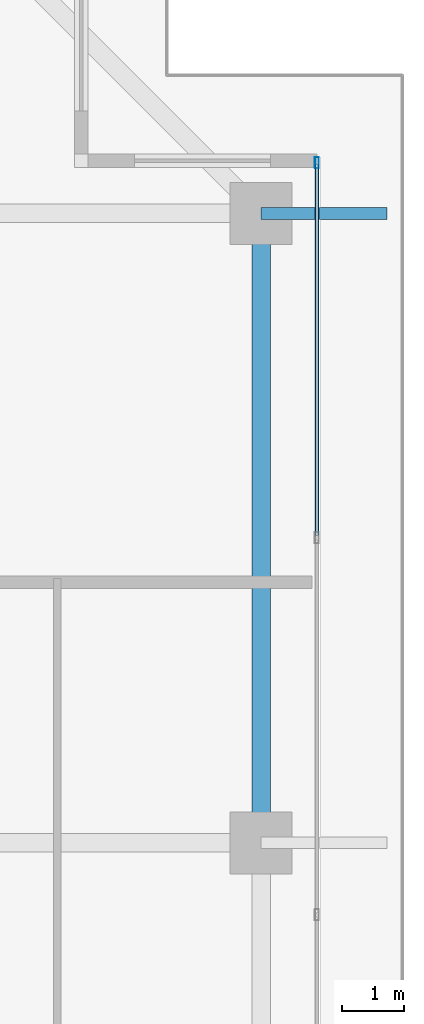
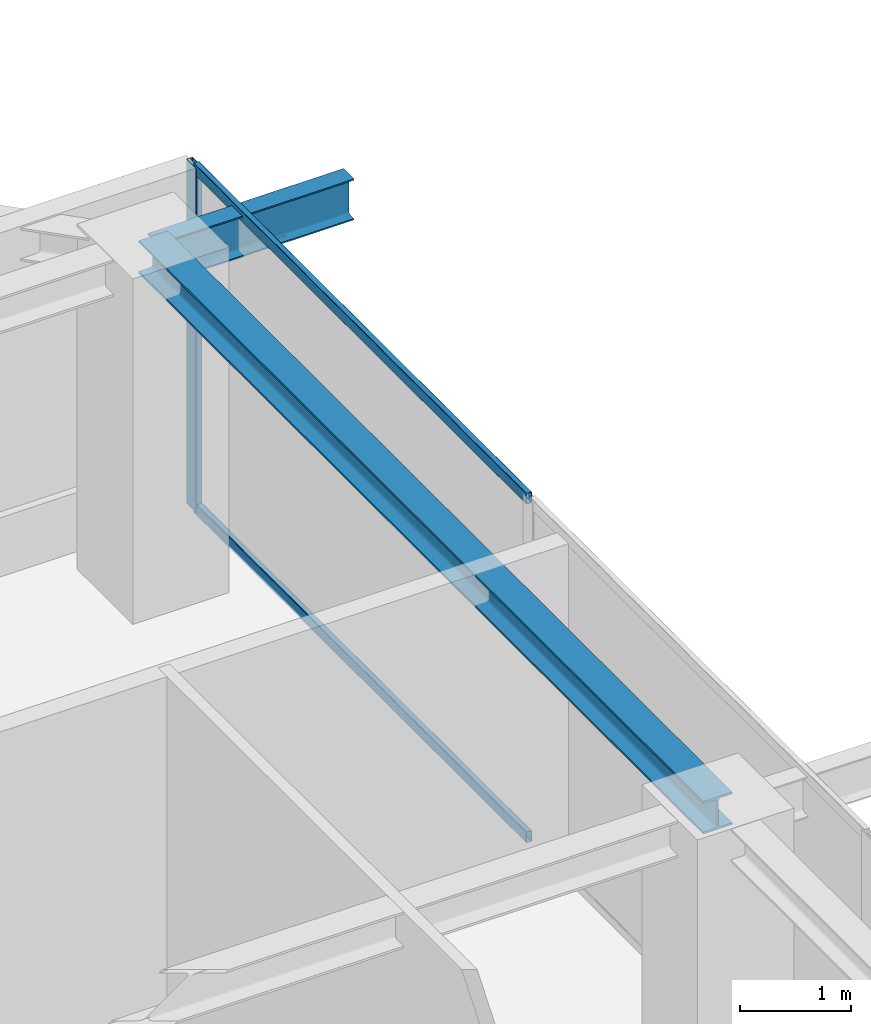
# One storey, part 24 of 37: 3 members, 2 beams, 1 element without a shape of its own.
"""IFC4 building model written with IfcOpenShell, lengths in metres."""

from ifc_helpers import new_model, si_unit, direction, frame, origin, origin_2d, place, context, subcontext, project, spatial, hollow_rectangle, i_section, extrude, source, transform, mapped, material, layer, layer_set, material_profile, profile_set, type_object, element, aggregate, save


model = new_model("IFC4")

# Units and contexts
model_context = context("Model", 3, precision=1e-05, world=origin(), true_north=direction((0.0, 1.0)))
body_context = subcontext(model_context, "Body", "Model", "MODEL_VIEW")
ifc_project = project(units=[si_unit("LENGTHUNIT", "METRE"), si_unit("AREAUNIT", "SQUARE_METRE"), si_unit("VOLUMEUNIT", "CUBIC_METRE"), si_unit("PLANEANGLEUNIT", "RADIAN"), si_unit("MASSUNIT", "GRAM", prefix="KILO")], contexts=[model_context])

# Site, building, storey
site_placement = place(None, origin())
site = spatial("IfcSite", under=ifc_project, at=site_placement, CompositionType="ELEMENT")
building_placement = place(site_placement, origin())
building = spatial("IfcBuilding", under=site, at=building_placement, Name="Serunith Strait Residences", CompositionType="ELEMENT")
storey_placement = place(building_placement, frame((0.0, 0.0, 317.75)))
storey = spatial("IfcBuildingStorey", under=building, at=storey_placement, Name="L79", CompositionType="ELEMENT", Elevation=317.75)

# Beams
ifc_material_1 = material(Name="Steel S355J2", Category="steel")
ifc_material_profile_1 = material_profile(ifc_material_1, i_section(OverallWidth=0.300048828125, OverallDepth=0.360107421875, WebThickness=0.012451171875, FlangeThickness=0.0224609375, FilletRadius=0.027099609375, at=origin_2d()), Name="HEB 360")
ifc_profile_set_1 = profile_set([ifc_material_profile_1], Name="Steel S355J2")
beam_type_1 = type_object("IfcBeamType", Name="BM-HEB360", PredefinedType="BEAM", material=ifc_profile_set_1)
shared_shape_1 = source(origin(), body_context, "Body", "SweptSolid", [
    extrude(i_section(OverallWidth=0.300048828125, OverallDepth=0.360107421875, WebThickness=0.012451171875, FlangeThickness=0.0224609375, FilletRadius=0.027099609375, at=origin_2d()), origin(), (0.0, 0.0, 1.0), 10.150146484375),
])
beam_1_placement = place(storey_placement, frame((54.699951171875, 29.39990234375, 3.60693359375), z_axis=(0.0, 1.0, 0.0), x_axis=(-1.0, 0.0, 0.0)))
element("IfcBeam", 1, at=beam_1_placement, inside=storey, type_object=beam_type_1, Name="L79 Perimeter Ring Beam 07", PredefinedType="BEAM", context=body_context, shape_type="MappedRepresentation", body=[
    mapped(shared_shape_1, transform((0.0, 0.0, 0.0), scale=1.0)),
])
ifc_material_profile_2 = material_profile(ifc_material_1, i_section(OverallWidth=0.18994140625, OverallDepth=0.449951171875, WebThickness=0.009521484375, FlangeThickness=0.0146484375, FilletRadius=0.02099609375, at=origin_2d()), Name="IPE 450")
ifc_profile_set_2 = profile_set([ifc_material_profile_2], Name="Steel S355J2")
beam_type_2 = type_object("IfcBeamType", Name="BM-IPE450", PredefinedType="JOIST", material=ifc_profile_set_2)
shared_shape_2 = source(origin(), body_context, "Body", "SweptSolid", [
    extrude(i_section(OverallWidth=0.18994140625, OverallDepth=0.449951171875, WebThickness=0.009521484375, FlangeThickness=0.0146484375, FilletRadius=0.02099609375, at=origin_2d()), origin(), (0.0, 0.0, 1.0), 2.030029296875),
])
beam_2_placement = place(storey_placement, frame((54.699951171875, 39.550048828125, 3.531982421875), z_axis=(1.0, 0.0, 0.0), x_axis=(0.0, 1.0, 0.0)))
element("IfcBeam", 2, at=beam_2_placement, inside=storey, type_object=beam_type_2, Name="L80 Cantilevered Balcony Rib TC-E4", PredefinedType="JOIST", context=body_context, shape_type="MappedRepresentation", body=[
    mapped(shared_shape_2, transform((0.0, 0.0, 0.0), scale=1.0)),
])

# Curtain wall, members
ifc_material_2 = material(Name="Brushed Stainless-Silver Aluminium", Category="aluminium")
ifc_layer = layer(ifc_material_2, 0.199951171875, Name="Brushed Stainless-Silver Aluminium")
ifc_layer_set = layer_set([ifc_layer], Name="Brushed Stainless-Silver Aluminium")
curtain_wall_type = type_object("IfcCurtainWallType", Name="CW-SYS5", PredefinedType="NOTDEFINED", material=ifc_layer_set)
curtain_wall_placement = place(storey_placement, origin())
curtain_wall = element("IfcCurtainWall", 3, at=curtain_wall_placement, inside=storey, type_object=curtain_wall_type, Name="L79 E Unitised Fritted Curtain Wall", PredefinedType="NOTDEFINED")
ifc_material_profile_3 = material_profile(ifc_material_2, hollow_rectangle(XDim=0.06005859375, YDim=0.1201171875, WallThickness=0.00341796875, InnerFilletRadius=0.00537109375, OuterFilletRadius=0.0087890625, at=origin_2d()), Name="ALU 120x60x3.5")
ifc_profile_set_3 = profile_set([ifc_material_profile_3], Name="Brushed Stainless-Silver Aluminium")
member_type_1 = type_object("IfcMemberType", Name="CW-SYS5-TRAN", PredefinedType="USERDEFINED", material=ifc_profile_set_3)
shared_shape_3 = source(origin(), body_context, "Body", "SweptSolid", [
    extrude(hollow_rectangle(XDim=0.06005859375, YDim=0.1201171875, WallThickness=0.00341796875, InnerFilletRadius=0.00537109375, OuterFilletRadius=0.0087890625, at=origin_2d()), origin(), (0.0, 0.0, 1.0), 5.982421875),
])
member_1_placement = place(storey_placement, frame((55.60009765625, 34.3525390625, 0.030029296875), z_axis=(0.0, 1.0, 0.0), x_axis=(-1.0, 0.0, 0.0)))
member_1 = element("IfcMember", 4, at=member_1_placement, type_object=member_type_1, Name="CW-5 transom 5.1", ObjectType="TRANSOM", PredefinedType="USERDEFINED", context=body_context, shape_type="MappedRepresentation", body=[
    mapped(shared_shape_3, transform((0.0, 0.0, 0.0), scale=1.0)),
])
member_2_placement = place(storey_placement, frame((55.60009765625, 34.3525390625, 3.7451171875), z_axis=(0.0, 1.0, 0.0), x_axis=(-1.0, 0.0, 0.0)))
member_2 = element("IfcMember", 5, at=member_2_placement, type_object=member_type_1, Name="CW-5 transom 5.2", ObjectType="TRANSOM", PredefinedType="USERDEFINED", context=body_context, shape_type="MappedRepresentation", body=[
    mapped(shared_shape_3, transform((0.0, 0.0, 0.0), scale=1.0)),
])
ifc_material_profile_4 = material_profile(ifc_material_2, hollow_rectangle(XDim=0.06494140625, YDim=0.179931640625, WallThickness=0.00341796875, InnerFilletRadius=0.00537109375, OuterFilletRadius=0.0087890625, at=origin_2d()), Name="ALU 180x65x3.5")
ifc_profile_set_4 = profile_set([ifc_material_profile_4], Name="Brushed Stainless-Silver Aluminium")
member_type_2 = type_object("IfcMemberType", Name="CW-SYS5-MULL", PredefinedType="MULLION", material=ifc_profile_set_4)
shared_shape_4 = source(origin(), body_context, "Body", "SweptSolid", [
    extrude(hollow_rectangle(XDim=0.06494140625, YDim=0.179931640625, WallThickness=0.00341796875, InnerFilletRadius=0.00537109375, OuterFilletRadius=0.0087890625, at=origin_2d()), origin(), (0.0, 0.0, 1.0), 3.77490234375),
])
member_3_placement = place(storey_placement, frame((55.60009765625, 40.367431640625, 0.0), z_axis=(0.0, 0.0, 1.0), x_axis=(-1.0, 0.0, 0.0)))
member_3 = element("IfcMember", 6, at=member_3_placement, type_object=member_type_2, Name="CW-5 mullion 6", PredefinedType="MULLION", context=body_context, shape_type="MappedRepresentation", body=[
    mapped(shared_shape_4, transform((0.0, 0.0, 0.0), scale=1.0)),
])
aggregate(curtain_wall, [member_3, member_1, member_2])

save(model, "model.ifc")
